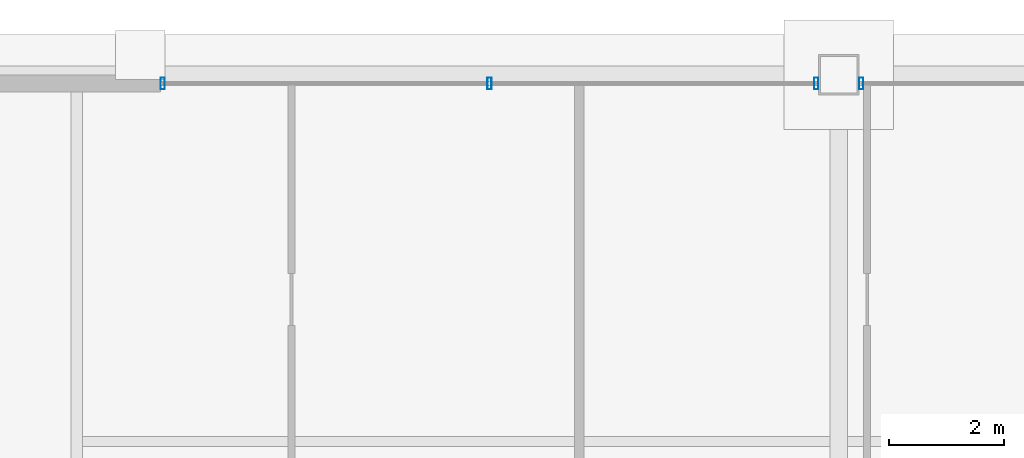
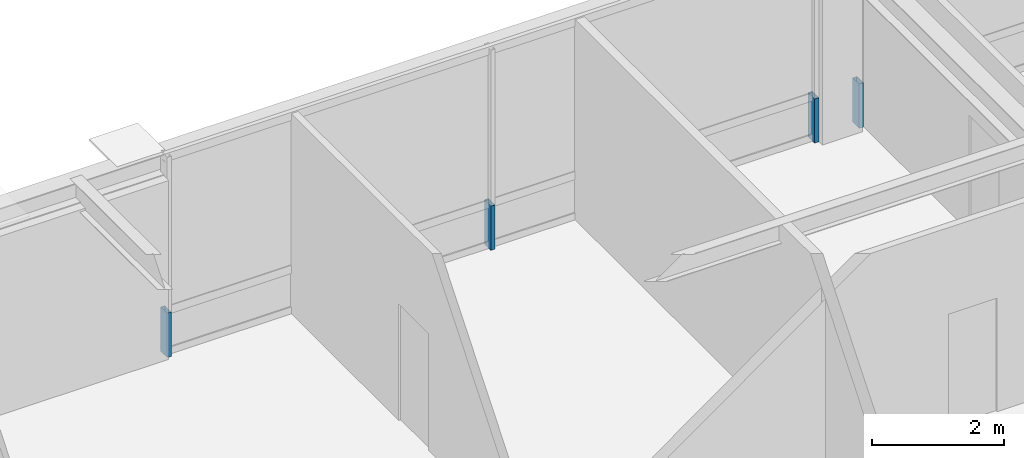
# One storey, part 27 of 34: 4 members, 2 elements without a shape of their own.
"""IFC4 building model written with IfcOpenShell, lengths in metres."""

from ifc_helpers import new_model, si_unit, direction, frame, origin, origin_2d, place, context, subcontext, project, spatial, hollow_rectangle, extrude, source, transform, mapped, material, layer, layer_set, material_profile, profile_set, type_object, element, aggregate, save


model = new_model("IFC4")

# Units and contexts
model_context = context("Model", 3, precision=1e-05, world=origin(), true_north=direction((0.0, 1.0)))
body_context = subcontext(model_context, "Body", "Model", "MODEL_VIEW")
ifc_project = project(units=[si_unit("LENGTHUNIT", "METRE"), si_unit("AREAUNIT", "SQUARE_METRE"), si_unit("VOLUMEUNIT", "CUBIC_METRE"), si_unit("PLANEANGLEUNIT", "RADIAN"), si_unit("MASSUNIT", "GRAM", prefix="KILO"), si_unit("THERMODYNAMICTEMPERATUREUNIT", "KELVIN"), si_unit("POWERUNIT", "WATT")], contexts=[model_context])

# Site, building, storey
site_placement = place(None, origin())
site = spatial("IfcSite", under=ifc_project, at=site_placement, CompositionType="ELEMENT")
building_placement = place(site_placement, origin())
building = spatial("IfcBuilding", under=site, at=building_placement, Name="Yuzanri Waterfront Tower", CompositionType="ELEMENT")
storey_placement = place(building_placement, frame((0.0, 0.0, 347.199951171875)))
storey = spatial("IfcBuildingStorey", under=building, at=storey_placement, Name="L93", CompositionType="ELEMENT", Elevation=347.199951171875)

# Curtain wall, members
ifc_material_1 = material(Name="Anodized Architectural Bronze", Category="metal")
ifc_layer = layer(ifc_material_1, 0.159912109375)
ifc_layer_set = layer_set([ifc_layer], Name="Anodized Architectural Bronze")
curtain_wall_type = type_object("IfcCurtainWallType", Name="Anodized Bronze High-Rise Penthouse High-Wind Unitized Curtain Wall 6900", PredefinedType="NOTDEFINED", material=ifc_layer_set)
curtain_wall_1_placement = place(storey_placement, origin())
curtain_wall_1 = element("IfcCurtainWall", 1, at=curtain_wall_1_placement, inside=storey, type_object=curtain_wall_type, Name="L93 Curtain Wall CW-L93-NL", PredefinedType="NOTDEFINED")
ifc_material_2 = material(Name="Anodized Architectural Bronze", Category="metal")
ifc_material_profile = material_profile(ifc_material_2, hollow_rectangle(XDim=0.074951171875, YDim=0.199951171875, WallThickness=0.00390625, at=origin_2d()), Name="CWM 75x200")
ifc_profile_set = profile_set([ifc_material_profile], Name="Anodized Architectural Bronze")
member_type = type_object("IfcMemberType", Name="Anodized Bronze Primary Curtain-Wall Mullion 75x200", PredefinedType="MULLION", material=ifc_profile_set)
shared_shape = source(origin(), body_context, "Body", "SweptSolid", [
    extrude(hollow_rectangle(XDim=0.074951171875, YDim=0.199951171875, WallThickness=0.00390625, at=origin_2d()), origin(), (0.0, 0.0, 1.0), 0.818115234375),
])
member_1_placement = place(storey_placement, frame((25.2900390625, 44.75, 0.0), z_axis=(0.0, 0.0, 1.0), x_axis=(1.0, 0.0, 0.0)))
member_1 = element("IfcMember", 2, at=member_1_placement, type_object=member_type, Name="CW-L93-NL Lower Mullion 00", PredefinedType="MULLION", context=body_context, shape_type="MappedRepresentation", body=[
    mapped(shared_shape, transform((0.0, 0.0, 0.0), scale=1.0)),
])
member_2_placement = place(storey_placement, frame((30.949951171875, 44.75, 0.0), z_axis=(0.0, 0.0, 1.0), x_axis=(1.0, 0.0, 0.0)))
member_2 = element("IfcMember", 3, at=member_2_placement, type_object=member_type, Name="CW-L93-NL Lower Mullion 01", PredefinedType="MULLION", context=body_context, shape_type="MappedRepresentation", body=[
    mapped(shared_shape, transform((0.0, 0.0, 0.0), scale=1.0)),
])
member_3_placement = place(storey_placement, frame((36.610107421875, 44.75, 0.0), z_axis=(0.0, 0.0, 1.0), x_axis=(1.0, 0.0, 0.0)))
member_3 = element("IfcMember", 4, at=member_3_placement, type_object=member_type, Name="CW-L93-NL Lower Mullion 02", PredefinedType="MULLION", context=body_context, shape_type="MappedRepresentation", body=[
    mapped(shared_shape, transform((0.0, 0.0, 0.0), scale=1.0)),
])
aggregate(curtain_wall_1, [member_1, member_2, member_3])

# Curtain wall, member
curtain_wall_2_placement = place(storey_placement, origin())
curtain_wall_2 = element("IfcCurtainWall", 5, at=curtain_wall_2_placement, inside=storey, type_object=curtain_wall_type, Name="L93 Curtain Wall CW-L93-NR", PredefinedType="NOTDEFINED")
member_4_placement = place(storey_placement, frame((37.389892578125, 44.75, 0.0), z_axis=(0.0, 0.0, 1.0), x_axis=(1.0, 0.0, 0.0)))
member_4 = element("IfcMember", 6, at=member_4_placement, type_object=member_type, Name="CW-L93-NR Lower Mullion 00", PredefinedType="MULLION", context=body_context, shape_type="MappedRepresentation", body=[
    mapped(shared_shape, transform((0.0, 0.0, 0.0), scale=1.0)),
])
aggregate(curtain_wall_2, [member_4])

save(model, "model.ifc")
